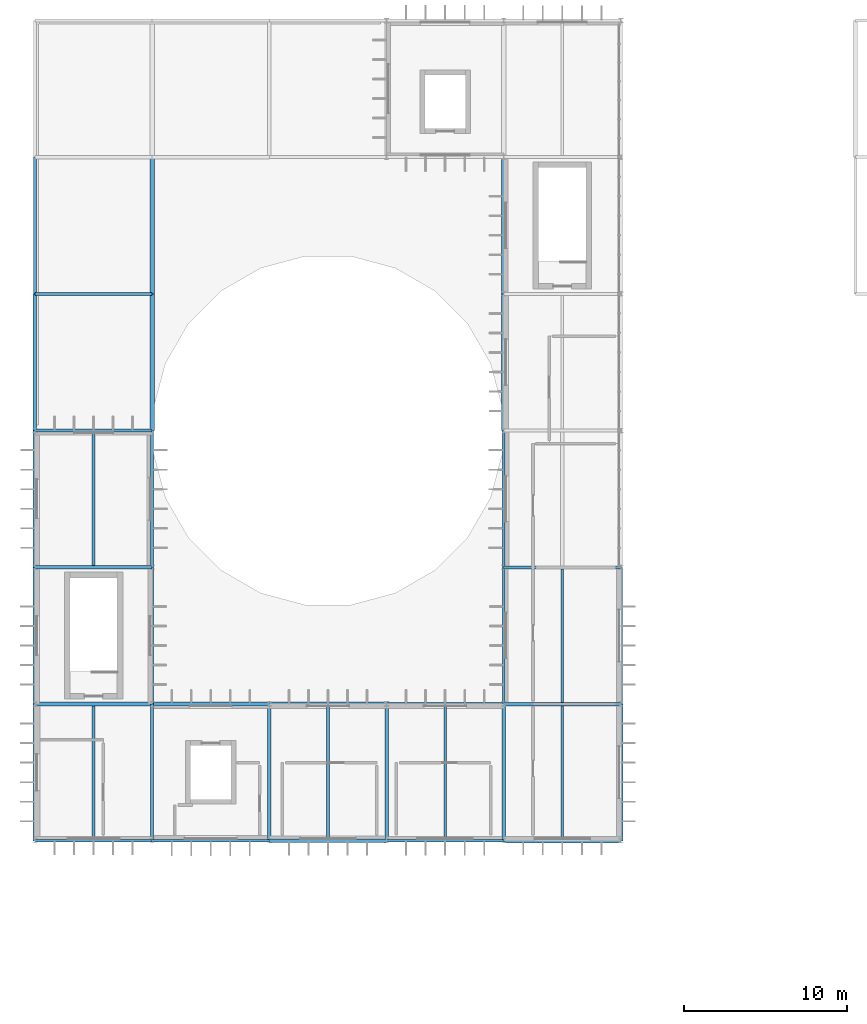
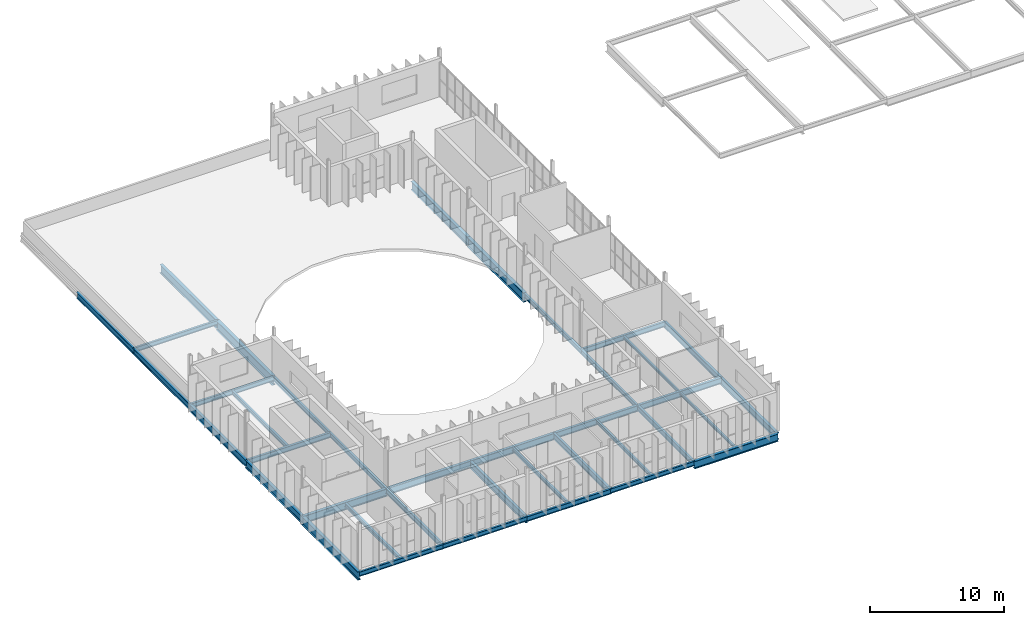
# One storey, part 7 of 18: 39 beams.
"""IFC4 building model written with IfcOpenShell, lengths in metres."""

from ifc_helpers import new_model, si_unit, direction, frame, origin, origin_2d, place, context, subcontext, project, spatial, i_section, extrude, material, material_profile, profile_set, type_object, element, save


model = new_model("IFC4")

# Units and contexts
model_context = context("Model", 3, precision=1e-05, world=origin(), true_north=direction((0.0, 1.0)))
body_context = subcontext(model_context, "Body", "Model", "MODEL_VIEW")
ifc_project = project(units=[si_unit("LENGTHUNIT", "METRE"), si_unit("AREAUNIT", "SQUARE_METRE"), si_unit("VOLUMEUNIT", "CUBIC_METRE"), si_unit("PLANEANGLEUNIT", "RADIAN"), si_unit("MASSUNIT", "GRAM", prefix="KILO")], contexts=[model_context])

# Site, building, storey
site_placement = place(None, origin())
site = spatial("IfcSite", under=ifc_project, at=site_placement, CompositionType="ELEMENT")
building_placement = place(site_placement, origin())
building = spatial("IfcBuilding", under=site, at=building_placement, Name="Qelthora Terrace Specialist Clinic", CompositionType="ELEMENT")
storey_placement = place(building_placement, frame((0.0, 0.0, 21.60009765625)))
storey = spatial("IfcBuildingStorey", under=building, at=storey_placement, Name="L05", CompositionType="ELEMENT", Elevation=21.60009765625)

# Beams
ifc_material = material(Name="Steel S355", Category="steel")
ifc_material_profile_1 = material_profile(ifc_material, i_section(OverallWidth=0.178955078125, OverallDepth=0.409912109375, WebThickness=0.0087890625, FlangeThickness=0.014404296875, FilletRadius=0.011962890625, at=origin_2d()), Name="W410X67")
ifc_profile_set_1 = profile_set([ifc_material_profile_1], Name="Steel S355")
beam_type_1 = type_object("IfcBeamType", Name="BM-W410X67", PredefinedType="BEAM", material=ifc_profile_set_1)
beam_1_placement = place(storey_placement, frame((14.39990234375, 58.800048828125, -0.455078125), z_axis=(1.0, 0.0, 0.0), x_axis=(0.0, 1.0, 0.0)))
element("IfcBeam", 1, at=beam_1_placement, inside=storey, type_object=beam_type_1, Name="Girder BMX-L05-1300", PredefinedType="BEAM", context=body_context, shape_type="SweptSolid", body=[
    extrude(i_section(OverallWidth=0.178955078125, OverallDepth=0.409912109375, WebThickness=0.0087890625, FlangeThickness=0.014404296875, FilletRadius=0.011962890625, at=origin_2d()), origin(), (0.0, 0.0, 1.0), 7.2001953125),
])
beam_2_placement = place(storey_placement, frame((28.800048828125, 58.800048828125, -0.455078125), z_axis=(1.0, 0.0, 0.0), x_axis=(0.0, 1.0, 0.0)))
element("IfcBeam", 2, at=beam_2_placement, inside=storey, type_object=beam_type_1, Name="Girder BMX-L05-1302", PredefinedType="BEAM", context=body_context, shape_type="SweptSolid", body=[
    extrude(i_section(OverallWidth=0.178955078125, OverallDepth=0.409912109375, WebThickness=0.0087890625, FlangeThickness=0.014404296875, FilletRadius=0.011962890625, at=origin_2d()), origin(), (0.0, 0.0, 1.0), 7.199951171875),
])
for number, where, z_axis, x_axis, name in (
    (3, (14.39990234375, 75.60009765625, -0.455078125), (0.0, 1.0, 0.0), (-1.0, 0.0, 0.0), "Girder BMY-L05-1350"),
    (4, (36.0, 75.60009765625, -0.455078125), (0.0, 1.0, 0.0), (-1.0, 0.0, 0.0), "Girder BMY-L05-1360"),
):
    element("IfcBeam", number, at=place(storey_placement, frame(where, z_axis=z_axis, x_axis=x_axis)), inside=storey, type_object=beam_type_1, Name=name, PredefinedType="BEAM", context=body_context, shape_type="SweptSolid", body=[
        extrude(i_section(OverallWidth=0.178955078125, OverallDepth=0.409912109375, WebThickness=0.0087890625, FlangeThickness=0.014404296875, FilletRadius=0.011962890625, at=origin_2d()), origin(), (0.0, 0.0, 1.0), 8.39990234375),
    ])
ifc_material_profile_2 = material_profile(ifc_material, i_section(OverallWidth=0.179931640625, OverallDepth=0.4130859375, WebThickness=0.009765625, FlangeThickness=0.01611328125, FilletRadius=0.011962890625, at=origin_2d()), Name="W410X75")
ifc_profile_set_2 = profile_set([ifc_material_profile_2], Name="Steel S355")
beam_type_2 = type_object("IfcBeamType", Name="BM-W410X75", PredefinedType="BEAM", material=ifc_profile_set_2)
for number, where, z_axis, x_axis, name in (
    (5, (7.199951171875, 58.800048828125, -0.45654296875), (1.0, 0.0, 0.0), (0.0, 1.0, 0.0), "Girder BMX-L05-1299"),
    (6, (7.199951171875, 84.0, -0.45654296875), (1.0, 0.0, 0.0), (0.0, 1.0, 0.0), "Girder BMX-L05-1311"),
    (7, (7.199951171875, 92.39990234375, -0.45654296875), (1.0, 0.0, 0.0), (0.0, 1.0, 0.0), "Girder BMX-L05-1313"),
):
    element("IfcBeam", number, at=place(storey_placement, frame(where, z_axis=z_axis, x_axis=x_axis)), inside=storey, type_object=beam_type_2, Name=name, PredefinedType="BEAM", context=body_context, shape_type="SweptSolid", body=[
        extrude(i_section(OverallWidth=0.179931640625, OverallDepth=0.4130859375, WebThickness=0.009765625, FlangeThickness=0.01611328125, FilletRadius=0.011962890625, at=origin_2d()), origin(), (0.0, 0.0, 1.0), 7.199951171875),
    ])
for number, where, z_axis, x_axis, name in (
    (8, (14.39990234375, 67.199951171875, -0.45654296875), (0.0, 1.0, 0.0), (-1.0, 0.0, 0.0), "Girder BMY-L05-1349"),
    (9, (36.0, 67.199951171875, -0.45654296875), (0.0, 1.0, 0.0), (-1.0, 0.0, 0.0), "Girder BMY-L05-1359"),
):
    element("IfcBeam", number, at=place(storey_placement, frame(where, z_axis=z_axis, x_axis=x_axis)), inside=storey, type_object=beam_type_2, Name=name, PredefinedType="BEAM", context=body_context, shape_type="SweptSolid", body=[
        extrude(i_section(OverallWidth=0.179931640625, OverallDepth=0.4130859375, WebThickness=0.009765625, FlangeThickness=0.01611328125, FilletRadius=0.011962890625, at=origin_2d()), origin(), (0.0, 0.0, 1.0), 8.400146484375),
    ])
ifc_material_profile_3 = material_profile(ifc_material, i_section(OverallWidth=0.19091796875, OverallDepth=0.4599609375, WebThickness=0.010009765625, FlangeThickness=0.01611328125, FilletRadius=0.012939453125, at=origin_2d()), Name="W460X82")
ifc_profile_set_3 = profile_set([ifc_material_profile_3], Name="Steel S355")
beam_type_3 = type_object("IfcBeamType", Name="BM-W460X82", PredefinedType="BEAM", material=ifc_profile_set_3)
for number, where, z_axis, x_axis, name in (
    (10, (21.60009765625, 58.800048828125, -0.47998046875), (1.0, 0.0, 0.0), (0.0, 1.0, 0.0), "Girder BMX-L05-1301"),
    (11, (36.0, 75.60009765625, -0.47998046875), (1.0, 0.0, 0.0), (0.0, 1.0, 0.0), "Girder BMX-L05-1310"),
):
    element("IfcBeam", number, at=place(storey_placement, frame(where, z_axis=z_axis, x_axis=x_axis)), inside=storey, type_object=beam_type_3, Name=name, PredefinedType="BEAM", context=body_context, shape_type="SweptSolid", body=[
        extrude(i_section(OverallWidth=0.19091796875, OverallDepth=0.4599609375, WebThickness=0.010009765625, FlangeThickness=0.01611328125, FilletRadius=0.012939453125, at=origin_2d()), origin(), (0.0, 0.0, 1.0), 7.199951171875),
    ])
for number, where, z_axis, x_axis, name in (
    (12, (14.39990234375, 58.800048828125, -0.47998046875), (0.0, 1.0, 0.0), (-1.0, 0.0, 0.0), "Girder BMY-L05-1348"),
    (13, (36.0, 58.800048828125, -0.47998046875), (0.0, 1.0, 0.0), (-1.0, 0.0, 0.0), "Girder BMY-L05-1358"),
):
    element("IfcBeam", number, at=place(storey_placement, frame(where, z_axis=z_axis, x_axis=x_axis)), inside=storey, type_object=beam_type_3, Name=name, PredefinedType="BEAM", context=body_context, shape_type="SweptSolid", body=[
        extrude(i_section(OverallWidth=0.19091796875, OverallDepth=0.4599609375, WebThickness=0.010009765625, FlangeThickness=0.01611328125, FilletRadius=0.012939453125, at=origin_2d()), origin(), (0.0, 0.0, 1.0), 8.39990234375),
    ])
ifc_material_profile_4 = material_profile(ifc_material, i_section(OverallWidth=0.193115234375, OverallDepth=0.466064453125, WebThickness=0.011474609375, FlangeThickness=0.01904296875, FilletRadius=0.012939453125, at=origin_2d()), Name="W460X97")
ifc_profile_set_4 = profile_set([ifc_material_profile_4], Name="Steel S355")
beam_type_4 = type_object("IfcBeamType", Name="BM-W460X97", PredefinedType="BEAM", material=ifc_profile_set_4)
beam_3_placement = place(storey_placement, frame((7.199951171875, 75.60009765625, -0.483154296875), z_axis=(1.0, 0.0, 0.0), x_axis=(0.0, 1.0, 0.0)))
element("IfcBeam", 14, at=beam_3_placement, inside=storey, type_object=beam_type_4, Name="Girder BMX-L05-1309", PredefinedType="BEAM", context=body_context, shape_type="SweptSolid", body=[
    extrude(i_section(OverallWidth=0.193115234375, OverallDepth=0.466064453125, WebThickness=0.011474609375, FlangeThickness=0.01904296875, FilletRadius=0.012939453125, at=origin_2d()), origin(), (0.0, 0.0, 1.0), 7.199951171875),
])
ifc_material_profile_5 = material_profile(ifc_material, i_section(OverallWidth=0.2099609375, OverallDepth=0.537109375, WebThickness=0.010986328125, FlangeThickness=0.017333984375, FilletRadius=0.013916015625, at=origin_2d()), Name="W530X101")
ifc_profile_set_5 = profile_set([ifc_material_profile_5], Name="Steel S355")
beam_type_5 = type_object("IfcBeamType", Name="BM-W530X101", PredefinedType="BEAM", material=ifc_profile_set_5)
beam_4_placement = place(storey_placement, frame((36.0, 67.199951171875, -0.5185546875), z_axis=(1.0, 0.0, 0.0), x_axis=(0.0, 1.0, 0.0)))
element("IfcBeam", 15, at=beam_4_placement, inside=storey, type_object=beam_type_5, Name="Girder BMX-L05-1308", PredefinedType="BEAM", context=body_context, shape_type="SweptSolid", body=[
    extrude(i_section(OverallWidth=0.2099609375, OverallDepth=0.537109375, WebThickness=0.010986328125, FlangeThickness=0.017333984375, FilletRadius=0.013916015625, at=origin_2d()), origin(), (0.0, 0.0, 1.0), 7.199951171875),
])
beam_5_placement = place(storey_placement, frame((7.199951171875, 92.39990234375, -0.5185546875), z_axis=(0.0, 1.0, 0.0), x_axis=(-1.0, 0.0, 0.0)))
element("IfcBeam", 16, at=beam_5_placement, inside=storey, type_object=beam_type_5, Name="Girder BMY-L05-1346", PredefinedType="BEAM", context=body_context, shape_type="SweptSolid", body=[
    extrude(i_section(OverallWidth=0.2099609375, OverallDepth=0.537109375, WebThickness=0.010986328125, FlangeThickness=0.017333984375, FilletRadius=0.013916015625, at=origin_2d()), origin(), (0.0, 0.0, 1.0), 8.400146484375),
])
beam_6_placement = place(storey_placement, frame((28.800048828125, 58.800048828125, -0.5185546875), z_axis=(0.0, 1.0, 0.0), x_axis=(-1.0, 0.0, 0.0)))
element("IfcBeam", 17, at=beam_6_placement, inside=storey, type_object=beam_type_5, Name="Girder BMY-L05-1356", PredefinedType="BEAM", context=body_context, shape_type="SweptSolid", body=[
    extrude(i_section(OverallWidth=0.2099609375, OverallDepth=0.537109375, WebThickness=0.010986328125, FlangeThickness=0.017333984375, FilletRadius=0.013916015625, at=origin_2d()), origin(), (0.0, 0.0, 1.0), 8.39990234375),
])
ifc_material_profile_6 = material_profile(ifc_material, i_section(OverallWidth=0.2119140625, OverallDepth=0.5439453125, WebThickness=0.01318359375, FlangeThickness=0.021240234375, FilletRadius=0.013916015625, at=origin_2d()), Name="W530X123")
ifc_profile_set_6 = profile_set([ifc_material_profile_6], Name="Steel S355")
beam_type_6 = type_object("IfcBeamType", Name="BM-W530X123", PredefinedType="BEAM", material=ifc_profile_set_6)
beam_7_placement = place(storey_placement, frame((28.800048828125, 67.199951171875, -0.522216796875), z_axis=(1.0, 0.0, 0.0), x_axis=(0.0, 1.0, 0.0)))
element("IfcBeam", 18, at=beam_7_placement, inside=storey, type_object=beam_type_6, Name="Girder BMX-L05-1307", PredefinedType="BEAM", context=body_context, shape_type="SweptSolid", body=[
    extrude(i_section(OverallWidth=0.2119140625, OverallDepth=0.5439453125, WebThickness=0.01318359375, FlangeThickness=0.021240234375, FilletRadius=0.013916015625, at=origin_2d()), origin(), (0.0, 0.0, 1.0), 7.199951171875),
])
beam_8_placement = place(storey_placement, frame((7.199951171875, 84.0, -0.522216796875), z_axis=(0.0, 1.0, 0.0), x_axis=(-1.0, 0.0, 0.0)))
element("IfcBeam", 19, at=beam_8_placement, inside=storey, type_object=beam_type_6, Name="Girder BMY-L05-1345", PredefinedType="BEAM", context=body_context, shape_type="SweptSolid", body=[
    extrude(i_section(OverallWidth=0.2119140625, OverallDepth=0.5439453125, WebThickness=0.01318359375, FlangeThickness=0.021240234375, FilletRadius=0.013916015625, at=origin_2d()), origin(), (0.0, 0.0, 1.0), 8.39990234375),
])
beam_9_placement = place(storey_placement, frame((43.199951171875, 67.199951171875, -0.522216796875), z_axis=(0.0, 1.0, 0.0), x_axis=(-1.0, 0.0, 0.0)))
element("IfcBeam", 20, at=beam_9_placement, inside=storey, type_object=beam_type_6, Name="Girder BMY-L05-1365", PredefinedType="BEAM", context=body_context, shape_type="SweptSolid", body=[
    extrude(i_section(OverallWidth=0.2119140625, OverallDepth=0.5439453125, WebThickness=0.01318359375, FlangeThickness=0.021240234375, FilletRadius=0.013916015625, at=origin_2d()), origin(), (0.0, 0.0, 1.0), 8.400146484375),
])
ifc_material_profile_7 = material_profile(ifc_material, i_section(OverallWidth=0.22900390625, OverallDepth=0.612060546875, WebThickness=0.011962890625, FlangeThickness=0.01953125, FilletRadius=0.01611328125, at=origin_2d()), Name="W610X125")
ifc_profile_set_7 = profile_set([ifc_material_profile_7], Name="Steel S355")
beam_type_7 = type_object("IfcBeamType", Name="BM-W610X125", PredefinedType="BEAM", material=ifc_profile_set_7)
beam_10_placement = place(storey_placement, frame((21.60009765625, 67.199951171875, -0.55615234375), z_axis=(1.0, 0.0, 0.0), x_axis=(0.0, 1.0, 0.0)))
element("IfcBeam", 21, at=beam_10_placement, inside=storey, type_object=beam_type_7, Name="Girder BMX-L05-1306", PredefinedType="BEAM", context=body_context, shape_type="SweptSolid", body=[
    extrude(i_section(OverallWidth=0.22900390625, OverallDepth=0.612060546875, WebThickness=0.011962890625, FlangeThickness=0.01953125, FilletRadius=0.01611328125, at=origin_2d()), origin(), (0.0, 0.0, 1.0), 7.199951171875),
])
ifc_material_profile_8 = material_profile(ifc_material, i_section(OverallWidth=0.22998046875, OverallDepth=0.616943359375, WebThickness=0.01318359375, FlangeThickness=0.022216796875, FilletRadius=0.01611328125, at=origin_2d()), Name="W610X140")
ifc_profile_set_8 = profile_set([ifc_material_profile_8], Name="Steel S355")
beam_type_8 = type_object("IfcBeamType", Name="BM-W610X140", PredefinedType="BEAM", material=ifc_profile_set_8)
beam_11_placement = place(storey_placement, frame((14.39990234375, 67.199951171875, -0.55859375), z_axis=(1.0, 0.0, 0.0), x_axis=(0.0, 1.0, 0.0)))
element("IfcBeam", 22, at=beam_11_placement, inside=storey, type_object=beam_type_8, Name="Girder BMX-L05-1305", PredefinedType="BEAM", context=body_context, shape_type="SweptSolid", body=[
    extrude(i_section(OverallWidth=0.22998046875, OverallDepth=0.616943359375, WebThickness=0.01318359375, FlangeThickness=0.022216796875, FilletRadius=0.01611328125, at=origin_2d()), origin(), (0.0, 0.0, 1.0), 7.2001953125),
])
for number, where, z_axis, x_axis, name in (
    (23, (7.199951171875, 75.60009765625, -0.55859375), (0.0, 1.0, 0.0), (-1.0, 0.0, 0.0), "Girder BMY-L05-1344"),
    (24, (21.60009765625, 58.800048828125, -0.55859375), (0.0, 1.0, 0.0), (-1.0, 0.0, 0.0), "Girder BMY-L05-1354"),
    (25, (43.199951171875, 58.800048828125, -0.55859375), (0.0, 1.0, 0.0), (-1.0, 0.0, 0.0), "Girder BMY-L05-1364"),
):
    element("IfcBeam", number, at=place(storey_placement, frame(where, z_axis=z_axis, x_axis=x_axis)), inside=storey, type_object=beam_type_8, Name=name, PredefinedType="BEAM", context=body_context, shape_type="SweptSolid", body=[
        extrude(i_section(OverallWidth=0.22998046875, OverallDepth=0.616943359375, WebThickness=0.01318359375, FlangeThickness=0.022216796875, FilletRadius=0.01611328125, at=origin_2d()), origin(), (0.0, 0.0, 1.0), 8.39990234375),
    ])
ifc_material_profile_9 = material_profile(ifc_material, i_section(OverallWidth=0.25390625, OverallDepth=0.68798828125, WebThickness=0.01318359375, FlangeThickness=0.02099609375, FilletRadius=0.01806640625, at=origin_2d()), Name="W690X152")
ifc_profile_set_9 = profile_set([ifc_material_profile_9], Name="Steel S355")
beam_type_9 = type_object("IfcBeamType", Name="BM-W690X152", PredefinedType="BEAM", material=ifc_profile_set_9)
beam_12_placement = place(storey_placement, frame((7.199951171875, 67.199951171875, -0.593994140625), z_axis=(1.0, 0.0, 0.0), x_axis=(0.0, 1.0, 0.0)))
element("IfcBeam", 26, at=beam_12_placement, inside=storey, type_object=beam_type_9, Name="Girder BMX-L05-1304", PredefinedType="BEAM", context=body_context, shape_type="SweptSolid", body=[
    extrude(i_section(OverallWidth=0.25390625, OverallDepth=0.68798828125, WebThickness=0.01318359375, FlangeThickness=0.02099609375, FilletRadius=0.01806640625, at=origin_2d()), origin(), (0.0, 0.0, 1.0), 7.199951171875),
])
ifc_material_profile_10 = material_profile(ifc_material, i_section(OverallWidth=0.256103515625, OverallDepth=0.693115234375, WebThickness=0.014404296875, FlangeThickness=0.023681640625, FilletRadius=0.01806640625, at=origin_2d()), Name="W690X170")
ifc_profile_set_10 = profile_set([ifc_material_profile_10], Name="Steel S355")
beam_type_10 = type_object("IfcBeamType", Name="BM-W690X170", PredefinedType="BEAM", material=ifc_profile_set_10)
beam_13_placement = place(storey_placement, frame((36.0, 58.800048828125, -0.5966796875), z_axis=(1.0, 0.0, 0.0), x_axis=(0.0, 1.0, 0.0)))
element("IfcBeam", 27, at=beam_13_placement, inside=storey, type_object=beam_type_10, Name="Girder BMX-L05-1303", PredefinedType="BEAM", context=body_context, shape_type="SweptSolid", body=[
    extrude(i_section(OverallWidth=0.256103515625, OverallDepth=0.693115234375, WebThickness=0.014404296875, FlangeThickness=0.023681640625, FilletRadius=0.01806640625, at=origin_2d()), origin(), (0.0, 0.0, 1.0), 7.199951171875),
])
beam_14_placement = place(storey_placement, frame((7.199951171875, 67.199951171875, -0.5966796875), z_axis=(0.0, 1.0, 0.0), x_axis=(-1.0, 0.0, 0.0)))
element("IfcBeam", 28, at=beam_14_placement, inside=storey, type_object=beam_type_10, Name="Girder BMY-L05-1343", PredefinedType="BEAM", context=body_context, shape_type="SweptSolid", body=[
    extrude(i_section(OverallWidth=0.256103515625, OverallDepth=0.693115234375, WebThickness=0.014404296875, FlangeThickness=0.023681640625, FilletRadius=0.01806640625, at=origin_2d()), origin(), (0.0, 0.0, 1.0), 8.400146484375),
])
ifc_material_profile_11 = material_profile(ifc_material, i_section(OverallWidth=0.26806640625, OverallDepth=0.77001953125, WebThickness=0.015625, FlangeThickness=0.025390625, FilletRadius=0.01904296875, at=origin_2d()), Name="W760X196")
ifc_profile_set_11 = profile_set([ifc_material_profile_11], Name="Steel S355")
beam_type_11 = type_object("IfcBeamType", Name="BM-W760X196", PredefinedType="BEAM", material=ifc_profile_set_11)
beam_15_placement = place(storey_placement, frame((7.199951171875, 58.800048828125, -0.635009765625), z_axis=(0.0, 1.0, 0.0), x_axis=(-1.0, 0.0, 0.0)))
element("IfcBeam", 29, at=beam_15_placement, inside=storey, type_object=beam_type_11, Name="Girder BMY-L05-1342", PredefinedType="BEAM", context=body_context, shape_type="SweptSolid", body=[
    extrude(i_section(OverallWidth=0.26806640625, OverallDepth=0.77001953125, WebThickness=0.015625, FlangeThickness=0.025390625, FilletRadius=0.01904296875, at=origin_2d()), origin(), (0.0, 0.0, 1.0), 8.39990234375),
])
for number, where, z_axis, x_axis, name in (
    (30, (14.39990234375, 92.39990234375, -0.635009765625), (0.0, 1.0, 0.0), (-1.0, 0.0, 0.0), "Girder BMY-L05-1352"),
    (31, (36.0, 92.39990234375, -0.635009765625), (0.0, 1.0, 0.0), (-1.0, 0.0, 0.0), "Girder BMY-L05-1362"),
):
    element("IfcBeam", number, at=place(storey_placement, frame(where, z_axis=z_axis, x_axis=x_axis)), inside=storey, type_object=beam_type_11, Name=name, PredefinedType="BEAM", context=body_context, shape_type="SweptSolid", body=[
        extrude(i_section(OverallWidth=0.26806640625, OverallDepth=0.77001953125, WebThickness=0.015625, FlangeThickness=0.025390625, FilletRadius=0.01904296875, at=origin_2d()), origin(), (0.0, 0.0, 1.0), 8.400146484375),
    ])
ifc_material_profile_12 = material_profile(ifc_material, i_section(OverallWidth=0.2939453125, OverallDepth=0.85107421875, WebThickness=0.01611328125, FlangeThickness=0.02685546875, FilletRadius=0.02001953125, at=origin_2d()), Name="W840X226")
ifc_profile_set_12 = profile_set([ifc_material_profile_12], Name="Steel S355")
beam_type_12 = type_object("IfcBeamType", Name="BM-W840X226", PredefinedType="BEAM", material=ifc_profile_set_12)
for number, where, z_axis, x_axis, name in (
    (32, (14.39990234375, 84.0, -0.675537109375), (0.0, 1.0, 0.0), (-1.0, 0.0, 0.0), "Girder BMY-L05-1351"),
    (33, (36.0, 84.0, -0.675537109375), (0.0, 1.0, 0.0), (-1.0, 0.0, 0.0), "Girder BMY-L05-1361"),
):
    element("IfcBeam", number, at=place(storey_placement, frame(where, z_axis=z_axis, x_axis=x_axis)), inside=storey, type_object=beam_type_12, Name=name, PredefinedType="BEAM", context=body_context, shape_type="SweptSolid", body=[
        extrude(i_section(OverallWidth=0.2939453125, OverallDepth=0.85107421875, WebThickness=0.01611328125, FlangeThickness=0.02685546875, FilletRadius=0.02001953125, at=origin_2d()), origin(), (0.0, 0.0, 1.0), 8.39990234375),
    ])
ifc_material_profile_13 = material_profile(ifc_material, i_section(OverallWidth=0.14599609375, OverallDepth=0.258056640625, WebThickness=0.006103515625, FlangeThickness=0.009033203125, FilletRadius=0.009033203125, at=origin_2d()), Name="W250X33")
ifc_profile_set_13 = profile_set([ifc_material_profile_13], Name="Steel S355")
beam_type_13 = type_object("IfcBeamType", Name="JST-W250X33", PredefinedType="JOIST", material=ifc_profile_set_13)
beam_16_placement = place(storey_placement, frame((39.60009765625, 67.304931640625, -0.379150390625), z_axis=(0.0, 1.0, 0.0), x_axis=(-1.0, 0.0, 0.0)))
element("IfcBeam", 34, at=beam_16_placement, inside=storey, type_object=beam_type_13, Name="Composite floor joist JST-L05-0294", PredefinedType="JOIST", context=body_context, shape_type="SweptSolid", body=[
    extrude(i_section(OverallWidth=0.14599609375, OverallDepth=0.258056640625, WebThickness=0.006103515625, FlangeThickness=0.009033203125, FilletRadius=0.009033203125, at=origin_2d()), origin(), (0.0, 0.0, 1.0), 8.199462890625),
])
ifc_material_profile_14 = material_profile(ifc_material, i_section(OverallWidth=0.14697265625, OverallDepth=0.261962890625, WebThickness=0.006591796875, FlangeThickness=0.01123046875, FilletRadius=0.009033203125, at=origin_2d()), Name="W250X39")
ifc_profile_set_14 = profile_set([ifc_material_profile_14], Name="Steel S355")
beam_type_14 = type_object("IfcBeamType", Name="JST-W250X39", PredefinedType="JOIST", material=ifc_profile_set_14)
beam_17_placement = place(storey_placement, frame((39.60009765625, 58.927978515625, -0.381103515625), z_axis=(0.0, 1.0, 0.0), x_axis=(-1.0, 0.0, 0.0)))
element("IfcBeam", 35, at=beam_17_placement, inside=storey, type_object=beam_type_14, Name="Composite floor joist JST-L05-0293", PredefinedType="JOIST", context=body_context, shape_type="SweptSolid", body=[
    extrude(i_section(OverallWidth=0.14697265625, OverallDepth=0.261962890625, WebThickness=0.006591796875, FlangeThickness=0.01123046875, FilletRadius=0.009033203125, at=origin_2d()), origin(), (0.0, 0.0, 1.0), 8.1669921875),
])
ifc_material_profile_15 = material_profile(ifc_material, i_section(OverallWidth=0.166015625, OverallDepth=0.31298828125, WebThickness=0.006591796875, FlangeThickness=0.01123046875, FilletRadius=0.010009765625, at=origin_2d()), Name="W310X45")
ifc_profile_set_15 = profile_set([ifc_material_profile_15], Name="Steel S355")
beam_type_15 = type_object("IfcBeamType", Name="JST-W310X45", PredefinedType="JOIST", material=ifc_profile_set_15)
beam_18_placement = place(storey_placement, frame((32.39990234375, 58.889404296875, -0.406494140625), z_axis=(0.0, 1.0, 0.0), x_axis=(-1.0, 0.0, 0.0)))
element("IfcBeam", 36, at=beam_18_placement, inside=storey, type_object=beam_type_15, Name="Composite floor joist JST-L05-0292", PredefinedType="JOIST", context=body_context, shape_type="SweptSolid", body=[
    extrude(i_section(OverallWidth=0.166015625, OverallDepth=0.31298828125, WebThickness=0.006591796875, FlangeThickness=0.01123046875, FilletRadius=0.010009765625, at=origin_2d()), origin(), (0.0, 0.0, 1.0), 8.20458984375),
])
ifc_material_profile_16 = material_profile(ifc_material, i_section(OverallWidth=0.1669921875, OverallDepth=0.31689453125, WebThickness=0.007568359375, FlangeThickness=0.01318359375, FilletRadius=0.010009765625, at=origin_2d()), Name="W310X52")
ifc_profile_set_16 = profile_set([ifc_material_profile_16], Name="Steel S355")
beam_type_16 = type_object("IfcBeamType", Name="JST-W310X52", PredefinedType="JOIST", material=ifc_profile_set_16)
beam_19_placement = place(storey_placement, frame((25.199951171875, 58.8955078125, -0.40869140625), z_axis=(0.0, 1.0, 0.0), x_axis=(-1.0, 0.0, 0.0)))
element("IfcBeam", 37, at=beam_19_placement, inside=storey, type_object=beam_type_16, Name="Composite floor joist JST-L05-0291", PredefinedType="JOIST", context=body_context, shape_type="SweptSolid", body=[
    extrude(i_section(OverallWidth=0.1669921875, OverallDepth=0.31689453125, WebThickness=0.007568359375, FlangeThickness=0.01318359375, FilletRadius=0.010009765625, at=origin_2d()), origin(), (0.0, 0.0, 1.0), 8.18994140625),
])
ifc_material_profile_17 = material_profile(ifc_material, i_section(OverallWidth=0.172119140625, OverallDepth=0.35791015625, WebThickness=0.0078125, FlangeThickness=0.01318359375, FilletRadius=0.010986328125, at=origin_2d()), Name="W360X57")
ifc_profile_set_17 = profile_set([ifc_material_profile_17], Name="Steel S355")
beam_type_17 = type_object("IfcBeamType", Name="JST-W360X57", PredefinedType="JOIST", material=ifc_profile_set_17)
beam_20_placement = place(storey_placement, frame((10.800048828125, 75.696533203125, -0.42919921875), z_axis=(0.0, 1.0, 0.0), x_axis=(-1.0, 0.0, 0.0)))
element("IfcBeam", 38, at=beam_20_placement, inside=storey, type_object=beam_type_17, Name="Composite floor joist JST-L05-0290", PredefinedType="JOIST", context=body_context, shape_type="SweptSolid", body=[
    extrude(i_section(OverallWidth=0.172119140625, OverallDepth=0.35791015625, WebThickness=0.0078125, FlangeThickness=0.01318359375, FilletRadius=0.010986328125, at=origin_2d()), origin(), (0.0, 0.0, 1.0), 8.21337890625),
])
ifc_material_profile_18 = material_profile(ifc_material, i_section(OverallWidth=0.202880859375, OverallDepth=0.346923828125, WebThickness=0.0078125, FlangeThickness=0.013427734375, FilletRadius=0.010986328125, at=origin_2d()), Name="W360X64")
ifc_profile_set_18 = profile_set([ifc_material_profile_18], Name="Steel S355")
beam_type_18 = type_object("IfcBeamType", Name="JST-W360X64", PredefinedType="JOIST", material=ifc_profile_set_18)
beam_21_placement = place(storey_placement, frame((10.800048828125, 58.889892578125, -0.423583984375), z_axis=(0.0, 1.0, 0.0), x_axis=(-1.0, 0.0, 0.0)))
element("IfcBeam", 39, at=beam_21_placement, inside=storey, type_object=beam_type_18, Name="Composite floor joist JST-L05-0289", PredefinedType="JOIST", context=body_context, shape_type="SweptSolid", body=[
    extrude(i_section(OverallWidth=0.202880859375, OverallDepth=0.346923828125, WebThickness=0.0078125, FlangeThickness=0.013427734375, FilletRadius=0.010986328125, at=origin_2d()), origin(), (0.0, 0.0, 1.0), 8.18310546875),
])

save(model, "model.ifc")
